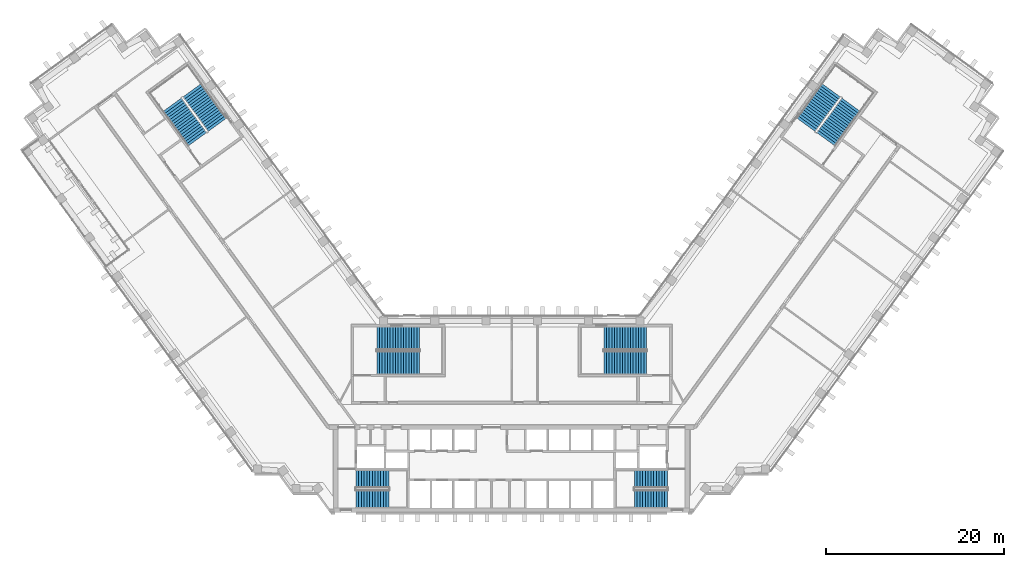
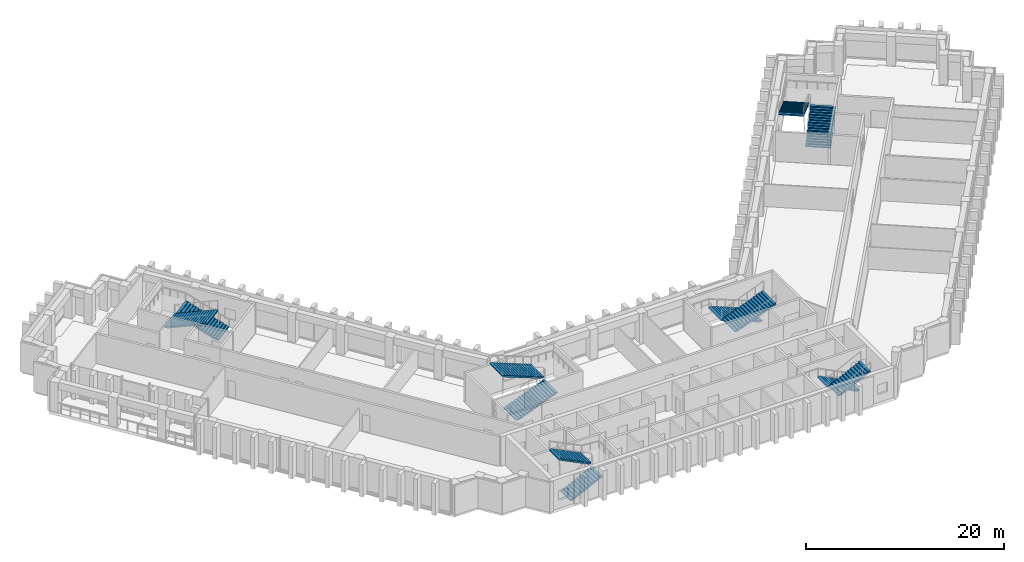
# One storey, part 14 of 17: 12 stair flights, 6 elements without a shape of their own.
"""IFC4 building model written with IfcOpenShell, lengths in metres."""

from ifc_helpers import new_model, si_unit, direction, frame, origin, place, context, subcontext, project, spatial, polyline, outline, extrude, material, type_object, element, aggregate, save


model = new_model("IFC4")

# Units and contexts
model_context = context("Model", 3, precision=1e-05, world=origin(), true_north=direction((0.0, 1.0)))
body_context = subcontext(model_context, "Body", "Model", "MODEL_VIEW")
ifc_project = project(units=[si_unit("LENGTHUNIT", "METRE"), si_unit("AREAUNIT", "SQUARE_METRE"), si_unit("VOLUMEUNIT", "CUBIC_METRE"), si_unit("PLANEANGLEUNIT", "RADIAN"), si_unit("MASSUNIT", "GRAM", prefix="KILO")], contexts=[model_context])

# Site, building, storey
site_placement = place(None, origin())
site = spatial("IfcSite", under=ifc_project, at=site_placement, CompositionType="ELEMENT")
building_placement = place(site_placement, origin())
building = spatial("IfcBuilding", under=site, at=building_placement, Name="Quipu Civic Tower", CompositionType="ELEMENT")
storey_placement = place(building_placement, frame((0.0, 0.0, 39.0)))
storey = spatial("IfcBuildingStorey", under=building, at=storey_placement, Name="L08", CompositionType="ELEMENT", Elevation=39.0)

# Stair, stair flights
ifc_material_1 = material(Name="Concrete C40/50", Category="concrete")
stair_type_1 = type_object("IfcStairType", Name="Half turn stair 2000", PredefinedType="HALF_TURN_STAIR", material=ifc_material_1)
stair_1_placement = place(storey_placement, origin())
stair_1 = element("IfcStair", 1, at=stair_1_placement, inside=storey, type_object=stair_type_1, Name="Exit stair 1", PredefinedType="HALF_TURN_STAIR")
ifc_material_2 = material(Name="Concrete C40/50", Category="concrete")
stair_flight_type_1 = type_object("IfcStairFlightType", Name="Stair flight 2000", PredefinedType="STRAIGHT", material=ifc_material_2)
stair_flight_1_placement = place(storey_placement, frame((-17.5, -9.5, 0.0), z_axis=(0.0, 0.0, 1.0), x_axis=(1.0, 0.0, 0.0)))
stair_flight_1 = element("IfcStairFlight", 2, at=stair_flight_1_placement, type_object=stair_flight_type_1, Name="ST-1 flight 1", NumberOfRisers=13, NumberOfTreads=12, PredefinedType="STRAIGHT", RiserHeight=0.153846154, TreadLength=0.31, context=body_context, shape_type="SweptSolid", body=[
    extrude(outline(polyline([(0.0, 0.0), (0.0, 0.15380859375), (0.31005859375, 0.15380859375), (0.31005859375, 0.3076171875), (0.6201171875, 0.3076171875), (0.6201171875, 0.46142578125), (0.929931640625, 0.46142578125), (0.929931640625, 0.615478515625), (1.239990234375, 0.615478515625), (1.239990234375, 0.769287109375), (1.550048828125, 0.769287109375), (1.550048828125, 0.923095703125), (1.860107421875, 0.923095703125), (1.860107421875, 1.076904296875), (2.169921875, 1.076904296875), (2.169921875, 1.230712890625), (2.47998046875, 1.230712890625), (2.47998046875, 1.384521484375), (2.7900390625, 1.384521484375), (2.7900390625, 1.53857421875), (3.10009765625, 1.53857421875), (3.10009765625, 1.6923828125), (3.409912109375, 1.6923828125), (3.409912109375, 1.84619140625), (3.719970703125, 1.84619140625), (3.719970703125, 2.0), (3.719970703125, 1.6787109375), (0.337158203125, 0.0), (0.0, 0.0)])), frame((0.0, 1.0, 0.0), z_axis=(0.0, -1.0, 0.0), x_axis=(1.0, 0.0, 0.0)), (0.0, 0.0, 1.0), 2.0),
])
stair_flight_2_placement = place(storey_placement, frame((-13.780029296875, -7.25, 2.0), z_axis=(0.0, 0.0, 1.0), x_axis=(-1.0, 0.0, 0.0)))
stair_flight_2 = element("IfcStairFlight", 3, at=stair_flight_2_placement, type_object=stair_flight_type_1, Name="ST-1 flight 2", NumberOfRisers=13, NumberOfTreads=12, PredefinedType="STRAIGHT", RiserHeight=0.153846154, TreadLength=0.31, context=body_context, shape_type="SweptSolid", body=[
    extrude(outline(polyline([(0.0, 0.0), (0.0, 0.15380859375), (0.31005859375, 0.15380859375), (0.31005859375, 0.3076171875), (0.6201171875, 0.3076171875), (0.6201171875, 0.46142578125), (0.929931640625, 0.46142578125), (0.929931640625, 0.615478515625), (1.239990234375, 0.615478515625), (1.239990234375, 0.769287109375), (1.550048828125, 0.769287109375), (1.550048828125, 0.923095703125), (1.860107421875, 0.923095703125), (1.860107421875, 1.076904296875), (2.169921875, 1.076904296875), (2.169921875, 1.230712890625), (2.47998046875, 1.230712890625), (2.47998046875, 1.384521484375), (2.7900390625, 1.384521484375), (2.7900390625, 1.53857421875), (3.10009765625, 1.53857421875), (3.10009765625, 1.6923828125), (3.409912109375, 1.6923828125), (3.409912109375, 1.84619140625), (3.719970703125, 1.84619140625), (3.719970703125, 2.0), (3.719970703125, 1.6787109375), (0.337158203125, 0.0), (0.0, 0.0)])), frame((0.0, 1.0, 0.0), z_axis=(0.0, -1.0, 0.0), x_axis=(1.0, 0.0, 0.0)), (0.0, 0.0, 1.0), 2.0),
])
aggregate(stair_1, [stair_flight_1, stair_flight_2])

stair_2_placement = place(storey_placement, origin())
stair_2 = element("IfcStair", 4, at=stair_2_placement, inside=storey, type_object=stair_type_1, Name="Exit stair 2", PredefinedType="HALF_TURN_STAIR")
stair_flight_3_placement = place(storey_placement, frame((17.5, -7.25, 0.0), z_axis=(0.0, 0.0, 1.0), x_axis=(-1.0, 0.0, 0.0)))
stair_flight_3 = element("IfcStairFlight", 5, at=stair_flight_3_placement, type_object=stair_flight_type_1, Name="ST-2 flight 1", NumberOfRisers=13, NumberOfTreads=12, PredefinedType="STRAIGHT", RiserHeight=0.153846154, TreadLength=0.31, context=body_context, shape_type="SweptSolid", body=[
    extrude(outline(polyline([(0.0, 0.0), (0.0, 0.15380859375), (0.31005859375, 0.15380859375), (0.31005859375, 0.3076171875), (0.6201171875, 0.3076171875), (0.6201171875, 0.46142578125), (0.929931640625, 0.46142578125), (0.929931640625, 0.615478515625), (1.239990234375, 0.615478515625), (1.239990234375, 0.769287109375), (1.550048828125, 0.769287109375), (1.550048828125, 0.923095703125), (1.860107421875, 0.923095703125), (1.860107421875, 1.076904296875), (2.169921875, 1.076904296875), (2.169921875, 1.230712890625), (2.47998046875, 1.230712890625), (2.47998046875, 1.384521484375), (2.7900390625, 1.384521484375), (2.7900390625, 1.53857421875), (3.10009765625, 1.53857421875), (3.10009765625, 1.6923828125), (3.409912109375, 1.6923828125), (3.409912109375, 1.84619140625), (3.719970703125, 1.84619140625), (3.719970703125, 2.0), (3.719970703125, 1.6787109375), (0.337158203125, 0.0), (0.0, 0.0)])), frame((0.0, 1.0, 0.0), z_axis=(0.0, -1.0, 0.0), x_axis=(1.0, 0.0, 0.0)), (0.0, 0.0, 1.0), 2.0),
])
stair_flight_4_placement = place(storey_placement, frame((13.780029296875, -9.5, 2.0), z_axis=(0.0, 0.0, 1.0), x_axis=(1.0, 0.0, 0.0)))
stair_flight_4 = element("IfcStairFlight", 6, at=stair_flight_4_placement, type_object=stair_flight_type_1, Name="ST-2 flight 2", NumberOfRisers=13, NumberOfTreads=12, PredefinedType="STRAIGHT", RiserHeight=0.153846154, TreadLength=0.31, context=body_context, shape_type="SweptSolid", body=[
    extrude(outline(polyline([(0.0, 0.0), (0.0, 0.15380859375), (0.31005859375, 0.15380859375), (0.31005859375, 0.3076171875), (0.6201171875, 0.3076171875), (0.6201171875, 0.46142578125), (0.929931640625, 0.46142578125), (0.929931640625, 0.615478515625), (1.239990234375, 0.615478515625), (1.239990234375, 0.769287109375), (1.550048828125, 0.769287109375), (1.550048828125, 0.923095703125), (1.860107421875, 0.923095703125), (1.860107421875, 1.076904296875), (2.169921875, 1.076904296875), (2.169921875, 1.230712890625), (2.47998046875, 1.230712890625), (2.47998046875, 1.384521484375), (2.7900390625, 1.384521484375), (2.7900390625, 1.53857421875), (3.10009765625, 1.53857421875), (3.10009765625, 1.6923828125), (3.409912109375, 1.6923828125), (3.409912109375, 1.84619140625), (3.719970703125, 1.84619140625), (3.719970703125, 2.0), (3.719970703125, 1.6787109375), (0.337158203125, 0.0), (0.0, 0.0)])), frame((0.0, 1.0, 0.0), z_axis=(0.0, -1.0, 0.0), x_axis=(1.0, 0.0, 0.0)), (0.0, 0.0, 1.0), 2.0),
])
aggregate(stair_2, [stair_flight_3, stair_flight_4])

ifc_material_3 = material(Name="Concrete C40/50", Category="concrete")
stair_type_2 = type_object("IfcStairType", Name="Half turn stair 2600", PredefinedType="HALF_TURN_STAIR", material=ifc_material_3)
stair_3_placement = place(storey_placement, origin())
stair_3 = element("IfcStair", 7, at=stair_3_placement, inside=storey, type_object=stair_type_2, Name="Exit stair 3", PredefinedType="HALF_TURN_STAIR")
ifc_material_4 = material(Name="Concrete C40/50", Category="concrete")
stair_flight_type_2 = type_object("IfcStairFlightType", Name="Stair flight 2600", PredefinedType="STRAIGHT", material=ifc_material_4)
stair_flight_5_placement = place(storey_placement, frame((-15.14990234375, 5.800048828125, 0.0), z_axis=(0.0, 0.0, 1.0), x_axis=(1.0, 0.0, 0.0)))
stair_flight_5 = element("IfcStairFlight", 8, at=stair_flight_5_placement, type_object=stair_flight_type_2, Name="ST-3 flight 1", NumberOfRisers=17, NumberOfTreads=16, PredefinedType="STRAIGHT", RiserHeight=0.117647059, TreadLength=0.3, context=body_context, shape_type="SweptSolid", body=[
    extrude(outline(polyline([(0.0, 0.0), (0.0, 0.11767578125), (0.300048828125, 0.11767578125), (0.300048828125, 0.2353515625), (0.60009765625, 0.2353515625), (0.60009765625, 0.35302734375), (0.89990234375, 0.35302734375), (0.89990234375, 0.470703125), (1.199951171875, 0.470703125), (1.199951171875, 0.588134765625), (1.5, 0.588134765625), (1.5, 0.705810546875), (1.800048828125, 0.705810546875), (1.800048828125, 0.823486328125), (2.10009765625, 0.823486328125), (2.10009765625, 0.941162109375), (2.39990234375, 0.941162109375), (2.39990234375, 1.058837890625), (2.699951171875, 1.058837890625), (2.699951171875, 1.176513671875), (3.0, 1.176513671875), (3.0, 1.294189453125), (3.300048828125, 1.294189453125), (3.300048828125, 1.411865234375), (3.60009765625, 1.411865234375), (3.60009765625, 1.529296875), (3.89990234375, 1.529296875), (3.89990234375, 1.64697265625), (4.199951171875, 1.64697265625), (4.199951171875, 1.7646484375), (4.5, 1.7646484375), (4.5, 1.88232421875), (4.800048828125, 1.88232421875), (4.800048828125, 2.0), (4.800048828125, 1.721435546875), (0.41064453125, 0.0), (0.0, 0.0)])), frame((0.0, 1.300048828125, 0.0), z_axis=(0.0, -1.0, 0.0), x_axis=(1.0, 0.0, 0.0)), (0.0, 0.0, 1.0), 2.60009765625),
])
stair_flight_6_placement = place(storey_placement, frame((-10.35009765625, 8.550048828125, 2.0), z_axis=(0.0, 0.0, 1.0), x_axis=(-1.0, 0.0, 0.0)))
stair_flight_6 = element("IfcStairFlight", 9, at=stair_flight_6_placement, type_object=stair_flight_type_2, Name="ST-3 flight 2", NumberOfRisers=17, NumberOfTreads=16, PredefinedType="STRAIGHT", RiserHeight=0.117647059, TreadLength=0.3, context=body_context, shape_type="SweptSolid", body=[
    extrude(outline(polyline([(0.0, 0.0), (0.0, 0.11767578125), (0.300048828125, 0.11767578125), (0.300048828125, 0.2353515625), (0.60009765625, 0.2353515625), (0.60009765625, 0.35302734375), (0.89990234375, 0.35302734375), (0.89990234375, 0.470703125), (1.199951171875, 0.470703125), (1.199951171875, 0.588134765625), (1.5, 0.588134765625), (1.5, 0.705810546875), (1.800048828125, 0.705810546875), (1.800048828125, 0.823486328125), (2.10009765625, 0.823486328125), (2.10009765625, 0.941162109375), (2.39990234375, 0.941162109375), (2.39990234375, 1.058837890625), (2.699951171875, 1.058837890625), (2.699951171875, 1.176513671875), (3.0, 1.176513671875), (3.0, 1.294189453125), (3.300048828125, 1.294189453125), (3.300048828125, 1.411865234375), (3.60009765625, 1.411865234375), (3.60009765625, 1.529296875), (3.89990234375, 1.529296875), (3.89990234375, 1.64697265625), (4.199951171875, 1.64697265625), (4.199951171875, 1.7646484375), (4.5, 1.7646484375), (4.5, 1.88232421875), (4.800048828125, 1.88232421875), (4.800048828125, 2.0), (4.800048828125, 1.721435546875), (0.41064453125, 0.0), (0.0, 0.0)])), frame((0.0, 1.300048828125, 0.0), z_axis=(0.0, -1.0, 0.0), x_axis=(1.0, 0.0, 0.0)), (0.0, 0.0, 1.0), 2.60009765625),
])
aggregate(stair_3, [stair_flight_5, stair_flight_6])

stair_4_placement = place(storey_placement, origin())
stair_4 = element("IfcStair", 10, at=stair_4_placement, inside=storey, type_object=stair_type_2, Name="Exit stair 4", PredefinedType="HALF_TURN_STAIR")
stair_flight_7_placement = place(storey_placement, frame((15.14990234375, 8.550048828125, 0.0), z_axis=(0.0, 0.0, 1.0), x_axis=(-1.0, 0.0, 0.0)))
stair_flight_7 = element("IfcStairFlight", 11, at=stair_flight_7_placement, type_object=stair_flight_type_2, Name="ST-4 flight 1", NumberOfRisers=17, NumberOfTreads=16, PredefinedType="STRAIGHT", RiserHeight=0.117647059, TreadLength=0.3, context=body_context, shape_type="SweptSolid", body=[
    extrude(outline(polyline([(0.0, 0.0), (0.0, 0.11767578125), (0.300048828125, 0.11767578125), (0.300048828125, 0.2353515625), (0.60009765625, 0.2353515625), (0.60009765625, 0.35302734375), (0.89990234375, 0.35302734375), (0.89990234375, 0.470703125), (1.199951171875, 0.470703125), (1.199951171875, 0.588134765625), (1.5, 0.588134765625), (1.5, 0.705810546875), (1.800048828125, 0.705810546875), (1.800048828125, 0.823486328125), (2.10009765625, 0.823486328125), (2.10009765625, 0.941162109375), (2.39990234375, 0.941162109375), (2.39990234375, 1.058837890625), (2.699951171875, 1.058837890625), (2.699951171875, 1.176513671875), (3.0, 1.176513671875), (3.0, 1.294189453125), (3.300048828125, 1.294189453125), (3.300048828125, 1.411865234375), (3.60009765625, 1.411865234375), (3.60009765625, 1.529296875), (3.89990234375, 1.529296875), (3.89990234375, 1.64697265625), (4.199951171875, 1.64697265625), (4.199951171875, 1.7646484375), (4.5, 1.7646484375), (4.5, 1.88232421875), (4.800048828125, 1.88232421875), (4.800048828125, 2.0), (4.800048828125, 1.721435546875), (0.41064453125, 0.0), (0.0, 0.0)])), frame((0.0, 1.300048828125, 0.0), z_axis=(0.0, -1.0, 0.0), x_axis=(1.0, 0.0, 0.0)), (0.0, 0.0, 1.0), 2.60009765625),
])
stair_flight_8_placement = place(storey_placement, frame((10.35009765625, 5.800048828125, 2.0), z_axis=(0.0, 0.0, 1.0), x_axis=(1.0, 0.0, 0.0)))
stair_flight_8 = element("IfcStairFlight", 12, at=stair_flight_8_placement, type_object=stair_flight_type_2, Name="ST-4 flight 2", NumberOfRisers=17, NumberOfTreads=16, PredefinedType="STRAIGHT", RiserHeight=0.117647059, TreadLength=0.3, context=body_context, shape_type="SweptSolid", body=[
    extrude(outline(polyline([(0.0, 0.0), (0.0, 0.11767578125), (0.300048828125, 0.11767578125), (0.300048828125, 0.2353515625), (0.60009765625, 0.2353515625), (0.60009765625, 0.35302734375), (0.89990234375, 0.35302734375), (0.89990234375, 0.470703125), (1.199951171875, 0.470703125), (1.199951171875, 0.588134765625), (1.5, 0.588134765625), (1.5, 0.705810546875), (1.800048828125, 0.705810546875), (1.800048828125, 0.823486328125), (2.10009765625, 0.823486328125), (2.10009765625, 0.941162109375), (2.39990234375, 0.941162109375), (2.39990234375, 1.058837890625), (2.699951171875, 1.058837890625), (2.699951171875, 1.176513671875), (3.0, 1.176513671875), (3.0, 1.294189453125), (3.300048828125, 1.294189453125), (3.300048828125, 1.411865234375), (3.60009765625, 1.411865234375), (3.60009765625, 1.529296875), (3.89990234375, 1.529296875), (3.89990234375, 1.64697265625), (4.199951171875, 1.64697265625), (4.199951171875, 1.7646484375), (4.5, 1.7646484375), (4.5, 1.88232421875), (4.800048828125, 1.88232421875), (4.800048828125, 2.0), (4.800048828125, 1.721435546875), (0.41064453125, 0.0), (0.0, 0.0)])), frame((0.0, 1.300048828125, 0.0), z_axis=(0.0, -1.0, 0.0), x_axis=(1.0, 0.0, 0.0)), (0.0, 0.0, 1.0), 2.60009765625),
])
aggregate(stair_4, [stair_flight_7, stair_flight_8])

stair_5_placement = place(storey_placement, origin())
stair_5 = element("IfcStair", 13, at=stair_5_placement, inside=storey, type_object=stair_type_2, Name="Exit stair 6", PredefinedType="HALF_TURN_STAIR")
stair_flight_9_placement = place(storey_placement, frame((-33.067626953125, 32.5322265625, 0.0), z_axis=(0.0, 0.0, 1.0), x_axis=(-0.587785252292, 0.809016994375, 0.0)))
stair_flight_9 = element("IfcStairFlight", 14, at=stair_flight_9_placement, type_object=stair_flight_type_2, Name="ST-6 flight 1", NumberOfRisers=17, NumberOfTreads=16, PredefinedType="STRAIGHT", RiserHeight=0.117647059, TreadLength=0.3, context=body_context, shape_type="SweptSolid", body=[
    extrude(outline(polyline([(0.0, 0.0), (0.0, 0.11767578125), (0.300048828125, 0.11767578125), (0.300048828125, 0.2353515625), (0.60009765625, 0.2353515625), (0.60009765625, 0.35302734375), (0.89990234375, 0.35302734375), (0.89990234375, 0.470703125), (1.199951171875, 0.470703125), (1.199951171875, 0.588134765625), (1.5, 0.588134765625), (1.5, 0.705810546875), (1.800048828125, 0.705810546875), (1.800048828125, 0.823486328125), (2.10009765625, 0.823486328125), (2.10009765625, 0.941162109375), (2.39990234375, 0.941162109375), (2.39990234375, 1.058837890625), (2.699951171875, 1.058837890625), (2.699951171875, 1.176513671875), (3.0, 1.176513671875), (3.0, 1.294189453125), (3.300048828125, 1.294189453125), (3.300048828125, 1.411865234375), (3.60009765625, 1.411865234375), (3.60009765625, 1.529296875), (3.89990234375, 1.529296875), (3.89990234375, 1.64697265625), (4.199951171875, 1.64697265625), (4.199951171875, 1.7646484375), (4.5, 1.7646484375), (4.5, 1.88232421875), (4.800048828125, 1.88232421875), (4.800048828125, 2.0), (4.800048828125, 1.721435546875), (0.41064453125, 0.0), (0.0, 0.0)])), frame((0.0, 1.300048828125, 0.0), z_axis=(0.0, -1.0, 0.0), x_axis=(1.0, 0.0, 0.0)), (0.0, 0.0, 1.0), 2.60009765625),
])
stair_flight_10_placement = place(storey_placement, frame((-38.11376953125, 34.799072265625, 2.0), z_axis=(0.0, 0.0, 1.0), x_axis=(0.587785252292, -0.809016994375, 0.0)))
stair_flight_10 = element("IfcStairFlight", 15, at=stair_flight_10_placement, type_object=stair_flight_type_2, Name="ST-6 flight 2", NumberOfRisers=17, NumberOfTreads=16, PredefinedType="STRAIGHT", RiserHeight=0.117647059, TreadLength=0.3, context=body_context, shape_type="SweptSolid", body=[
    extrude(outline(polyline([(0.0, 0.0), (0.0, 0.11767578125), (0.300048828125, 0.11767578125), (0.300048828125, 0.2353515625), (0.60009765625, 0.2353515625), (0.60009765625, 0.35302734375), (0.89990234375, 0.35302734375), (0.89990234375, 0.470703125), (1.199951171875, 0.470703125), (1.199951171875, 0.588134765625), (1.5, 0.588134765625), (1.5, 0.705810546875), (1.800048828125, 0.705810546875), (1.800048828125, 0.823486328125), (2.10009765625, 0.823486328125), (2.10009765625, 0.941162109375), (2.39990234375, 0.941162109375), (2.39990234375, 1.058837890625), (2.699951171875, 1.058837890625), (2.699951171875, 1.176513671875), (3.0, 1.176513671875), (3.0, 1.294189453125), (3.300048828125, 1.294189453125), (3.300048828125, 1.411865234375), (3.60009765625, 1.411865234375), (3.60009765625, 1.529296875), (3.89990234375, 1.529296875), (3.89990234375, 1.64697265625), (4.199951171875, 1.64697265625), (4.199951171875, 1.7646484375), (4.5, 1.7646484375), (4.5, 1.88232421875), (4.800048828125, 1.88232421875), (4.800048828125, 2.0), (4.800048828125, 1.721435546875), (0.41064453125, 0.0), (0.0, 0.0)])), frame((0.0, 1.300048828125, 0.0), z_axis=(0.0, -1.0, 0.0), x_axis=(1.0, 0.0, 0.0)), (0.0, 0.0, 1.0), 2.60009765625),
])
aggregate(stair_5, [stair_flight_9, stair_flight_10])

stair_6_placement = place(storey_placement, origin())
stair_6 = element("IfcStair", 16, at=stair_6_placement, inside=storey, type_object=stair_type_2, Name="Exit stair 7", PredefinedType="HALF_TURN_STAIR")
stair_flight_11_placement = place(storey_placement, frame((35.29248046875, 30.915771484375, 0.0), z_axis=(0.0, 0.0, 1.0), x_axis=(0.587785252292, 0.809016994375, 0.0)))
stair_flight_11 = element("IfcStairFlight", 17, at=stair_flight_11_placement, type_object=stair_flight_type_2, Name="ST-7 flight 1", NumberOfRisers=17, NumberOfTreads=16, PredefinedType="STRAIGHT", RiserHeight=0.117647059, TreadLength=0.3, context=body_context, shape_type="SweptSolid", body=[
    extrude(outline(polyline([(0.0, 0.0), (0.0, 0.11767578125), (0.300048828125, 0.11767578125), (0.300048828125, 0.2353515625), (0.60009765625, 0.2353515625), (0.60009765625, 0.35302734375), (0.89990234375, 0.35302734375), (0.89990234375, 0.470703125), (1.199951171875, 0.470703125), (1.199951171875, 0.588134765625), (1.5, 0.588134765625), (1.5, 0.705810546875), (1.800048828125, 0.705810546875), (1.800048828125, 0.823486328125), (2.10009765625, 0.823486328125), (2.10009765625, 0.941162109375), (2.39990234375, 0.941162109375), (2.39990234375, 1.058837890625), (2.699951171875, 1.058837890625), (2.699951171875, 1.176513671875), (3.0, 1.176513671875), (3.0, 1.294189453125), (3.300048828125, 1.294189453125), (3.300048828125, 1.411865234375), (3.60009765625, 1.411865234375), (3.60009765625, 1.529296875), (3.89990234375, 1.529296875), (3.89990234375, 1.64697265625), (4.199951171875, 1.64697265625), (4.199951171875, 1.7646484375), (4.5, 1.7646484375), (4.5, 1.88232421875), (4.800048828125, 1.88232421875), (4.800048828125, 2.0), (4.800048828125, 1.721435546875), (0.41064453125, 0.0), (0.0, 0.0)])), frame((0.0, 1.300048828125, 0.0), z_axis=(0.0, -1.0, 0.0), x_axis=(1.0, 0.0, 0.0)), (0.0, 0.0, 1.0), 2.60009765625),
])
stair_flight_12_placement = place(storey_placement, frame((35.888916015625, 36.41552734375, 2.0), z_axis=(0.0, 0.0, 1.0), x_axis=(-0.587785252292, -0.809016994375, 0.0)))
stair_flight_12 = element("IfcStairFlight", 18, at=stair_flight_12_placement, type_object=stair_flight_type_2, Name="ST-7 flight 2", NumberOfRisers=17, NumberOfTreads=16, PredefinedType="STRAIGHT", RiserHeight=0.117647059, TreadLength=0.3, context=body_context, shape_type="SweptSolid", body=[
    extrude(outline(polyline([(0.0, 0.0), (0.0, 0.11767578125), (0.300048828125, 0.11767578125), (0.300048828125, 0.2353515625), (0.60009765625, 0.2353515625), (0.60009765625, 0.35302734375), (0.89990234375, 0.35302734375), (0.89990234375, 0.470703125), (1.199951171875, 0.470703125), (1.199951171875, 0.588134765625), (1.5, 0.588134765625), (1.5, 0.705810546875), (1.800048828125, 0.705810546875), (1.800048828125, 0.823486328125), (2.10009765625, 0.823486328125), (2.10009765625, 0.941162109375), (2.39990234375, 0.941162109375), (2.39990234375, 1.058837890625), (2.699951171875, 1.058837890625), (2.699951171875, 1.176513671875), (3.0, 1.176513671875), (3.0, 1.294189453125), (3.300048828125, 1.294189453125), (3.300048828125, 1.411865234375), (3.60009765625, 1.411865234375), (3.60009765625, 1.529296875), (3.89990234375, 1.529296875), (3.89990234375, 1.64697265625), (4.199951171875, 1.64697265625), (4.199951171875, 1.7646484375), (4.5, 1.7646484375), (4.5, 1.88232421875), (4.800048828125, 1.88232421875), (4.800048828125, 2.0), (4.800048828125, 1.721435546875), (0.41064453125, 0.0), (0.0, 0.0)])), frame((0.0, 1.300048828125, 0.0), z_axis=(0.0, -1.0, 0.0), x_axis=(1.0, 0.0, 0.0)), (0.0, 0.0, 1.0), 2.60009765625),
])
aggregate(stair_6, [stair_flight_11, stair_flight_12])

save(model, "model.ifc")
